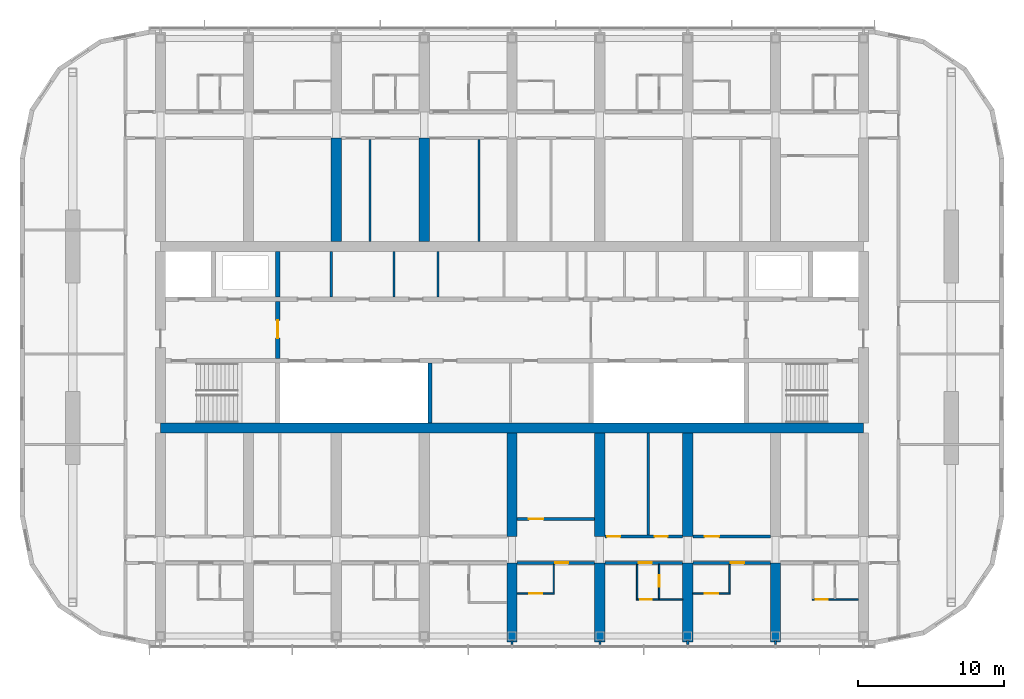
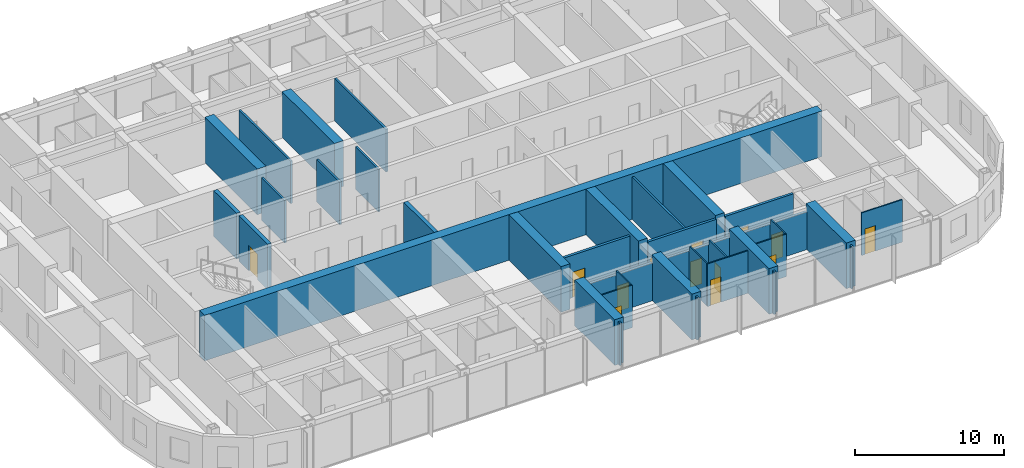
# One storey, part 12 of 23: 37 walls, 13 doors, 13 openings.
"""IFC4 building model written with IfcOpenShell, lengths in metres."""

from ifc_helpers import new_model, si_unit, direction, frame, frame_2d, origin, place, context, subcontext, project, spatial, polyline, rectangle, outline, extrude, material, layer, layer_set, type_object, element, fill, save


model = new_model("IFC4")

# Units and contexts
model_context = context("Model", 3, precision=1e-05, world=origin(), true_north=direction((0.0, 1.0)))
body_context = subcontext(model_context, "Body", "Model", "MODEL_VIEW")
ifc_project = project(units=[si_unit("LENGTHUNIT", "METRE"), si_unit("AREAUNIT", "SQUARE_METRE"), si_unit("VOLUMEUNIT", "CUBIC_METRE"), si_unit("PLANEANGLEUNIT", "RADIAN"), si_unit("MASSUNIT", "GRAM", prefix="KILO")], contexts=[model_context])

# Site, building, storey
site_placement = place(None, origin())
site = spatial("IfcSite", under=ifc_project, at=site_placement, CompositionType="ELEMENT")
building_placement = place(site_placement, origin())
building = spatial("IfcBuilding", under=site, at=building_placement, Name="Orbita Commons", CompositionType="ELEMENT")
storey_placement = place(building_placement, frame((0.0, 0.0, 224.050048828125)))
storey = spatial("IfcBuildingStorey", under=building, at=storey_placement, Name="L55", CompositionType="ELEMENT", Elevation=224.050048828125)

# Wall, opening, door
ifc_material_1 = material(Name="Concrete C50/60", Category="concrete")
ifc_layer_1 = layer(ifc_material_1, 0.300048828125)
ifc_layer_set_1 = layer_set([ifc_layer_1], Name="Concrete C50/60")
wall_type_1 = type_object("IfcWallType", Name="Core inner wall 300 C50/60", PredefinedType="SHEAR", material=ifc_layer_set_1)
wall_1_placement = place(storey_placement, frame((26.0, 30.550048828125, 0.0), z_axis=(0.0, 0.0, 1.0), x_axis=(0.0, 1.0, 0.0)))
wall_1 = element("IfcWall", 1, at=wall_1_placement, inside=storey, type_object=wall_type_1, Name="Firefighting lobby wall west L55", PredefinedType="SHEAR", context=body_context, shape_type="SweptSolid", body=[
    extrude(rectangle(XDim=3.89990234375, YDim=0.300048828125, at=frame_2d((1.949951171875, 0.0))), origin(), (0.0, 0.0, 1.0), 3.75),
])
opening_1_placement = place(wall_1_placement, frame((1.39990234375, 0.0, 0.0)))
opening_1 = element("IfcOpeningElement", 2, at=opening_1_placement, cuts=wall_1, Name="Opening D04", PredefinedType="OPENING", context=body_context, shape_type="SweptSolid", body=[
    extrude(rectangle(XDim=1.199951171875, YDim=2.10009765625, at=frame_2d((0.60009765625, 1.050048828125))), frame((0.0, 0.159912109375, 0.0), z_axis=(0.0, -1.0, 0.0), x_axis=(1.0, 0.0, 0.0)), (0.0, 0.0, 1.0), 0.320068359375),
])
ifc_material_2 = material(Name="Steel-faced fire door leaf", Category="steel")
door_type_1 = type_object("IfcDoorType", Name="Service door 20 min 1200x2100", OperationType="SINGLE_SWING_LEFT", PredefinedType="DOOR", material=ifc_material_2)
door_1_placement = place(opening_1_placement, origin())
door_1 = element("IfcDoor", 3, at=door_1_placement, inside=storey, type_object=door_type_1, Name="Lift lobby door west", OperationType="SINGLE_SWING_LEFT", OverallHeight=2.10009765625, OverallWidth=1.199951171875, PredefinedType="DOOR", context=body_context, shape_type="SweptSolid", body=[
    extrude(rectangle(XDim=1.199951171875, YDim=2.10009765625, at=frame_2d((0.60009765625, 1.050048828125))), frame((0.0, 0.02490234375, 0.0), z_axis=(0.0, -1.0, 0.0), x_axis=(1.0, 0.0, 0.0)), (0.0, 0.0, 1.0), 0.050048828125),
])
fill(opening_1, door_1)

# Walls
wall_2_placement = place(storey_placement, frame((26.0, 34.75, 0.0), z_axis=(0.0, 0.0, 1.0), x_axis=(0.0, 1.0, 0.0)))
element("IfcWall", 4, at=wall_2_placement, inside=storey, type_object=wall_type_1, Name="Riser wall west L55", PredefinedType="SHEAR", context=body_context, shape_type="SweptSolid", body=[
    extrude(rectangle(XDim=3.10009765625, YDim=0.300048828125, at=frame_2d((1.550048828125, 0.0))), origin(), (0.0, 0.0, 1.0), 3.75),
])
wall_3_placement = place(storey_placement, frame((36.39990234375, 26.14990234375, 0.0), z_axis=(0.0, 0.0, 1.0), x_axis=(0.0, 1.0, 0.0)))
element("IfcWall", 5, at=wall_3_placement, inside=storey, type_object=wall_type_1, Name="Hoistway division wall L55", PredefinedType="SHEAR", context=body_context, shape_type="SweptSolid", body=[
    extrude(rectangle(XDim=4.10009765625, YDim=0.300048828125, at=frame_2d((2.050048828125, 0.0))), origin(), (0.0, 0.0, 1.0), 3.75),
])
ifc_material_3 = material(Name="Concrete blockwork", Category="masonry")
ifc_layer_2 = layer(ifc_material_3, 0.14990234375)
ifc_layer_set_2 = layer_set([ifc_layer_2], Name="Concrete blockwork")
wall_type_2 = type_object("IfcWallType", Name="Core partition 150 blockwork", PredefinedType="SOLIDWALL", material=ifc_layer_set_2)
for number, where, z_axis, x_axis, name in (
    (6, (29.65087890625, 34.75, 0.0), (0.0, 0.0, 1.0), (0.0, 1.0, 0.0), "Core partition 150 blockwork L55"),
    (7, (33.9462890625, 34.75, 0.0), (0.0, 0.0, 1.0), (0.0, 1.0, 0.0), "Core partition 150 blockwork L55"),
    (8, (36.9462890625, 34.75, 0.0), (0.0, 0.0, 1.0), (0.0, 1.0, 0.0), "Core partition 150 blockwork L55"),
):
    element("IfcWall", number, at=place(storey_placement, frame(where, z_axis=z_axis, x_axis=x_axis)), inside=storey, type_object=wall_type_2, Name=name, PredefinedType="SOLIDWALL", context=body_context, shape_type="SweptSolid", body=[
        extrude(rectangle(XDim=3.10009765625, YDim=0.14990234375, at=frame_2d((1.550048828125, 0.0))), origin(), (0.0, 0.0, 1.0), 3.5),
    ])
ifc_material_4 = material(Name="Concrete C50/60", Category="concrete")
ifc_layer_3 = layer(ifc_material_4, 0.699951171875)
ifc_layer_set_3 = layer_set([ifc_layer_3], Name="Concrete C50/60")
wall_type_3 = type_object("IfcWallType", Name="Core wall 700 C50/60", PredefinedType="SHEAR", material=ifc_layer_set_3)
wall_4_placement = place(storey_placement, frame((18.0, 25.800048828125, 0.0), z_axis=(0.0, 0.0, 1.0), x_axis=(1.0, 0.0, 0.0)))
element("IfcWall", 9, at=wall_4_placement, inside=storey, type_object=wall_type_3, Name="Core spine wall south L55", PredefinedType="SHEAR", context=body_context, shape_type="SweptSolid", body=[
    extrude(rectangle(XDim=48.0, YDim=0.699951171875, at=frame_2d((24.0, 0.0))), origin(), (0.0, 0.0, 1.0), 3.75),
])

# Wall, opening, door
ifc_material_5 = material(Name="Concrete blockwork", Category="masonry")
ifc_layer_4 = layer(ifc_material_5, 0.199951171875)
ifc_layer_set_4 = layer_set([ifc_layer_4], Name="Concrete blockwork")
wall_type_4 = type_object("IfcWallType", Name="Corridor wall 200 blockwork", PredefinedType="SOLIDWALL", material=ifc_layer_set_4)
wall_5_placement = place(storey_placement, frame((42.35009765625, 16.60009765625, 0.0), z_axis=(0.0, 0.0, 1.0), x_axis=(1.0, 0.0, 0.0)))
wall_5 = element("IfcWall", 10, at=wall_5_placement, inside=storey, type_object=wall_type_4, Name="Corridor wall 200 blockwork L55", PredefinedType="SOLIDWALL", context=body_context, shape_type="SweptSolid", body=[
    extrude(outline(polyline([(0.0, 0.0), (5.2998046875, 0.0), (5.300048828125, 3.099853515625), (0.0, 3.099853515625), (0.0, 0.0)])), frame((0.0, 0.10009765625, 0.0), z_axis=(0.0, -1.0, 0.0), x_axis=(1.0, 0.0, 0.0)), (0.0, 0.0, 1.0), 0.199951171875),
])
opening_2_placement = place(wall_5_placement, frame((2.60009765625, 0.0, 0.0)))
opening_2 = element("IfcOpeningElement", 11, at=opening_2_placement, cuts=wall_5, Name="Opening D11", PredefinedType="OPENING", context=body_context, shape_type="SweptSolid", body=[
    extrude(rectangle(XDim=0.89990234375, YDim=2.10009765625, at=frame_2d((0.449951171875, 1.050048828125))), frame((0.0, 0.10986328125, 0.0), z_axis=(0.0, -1.0, 0.0), x_axis=(1.0, 0.0, 0.0)), (0.0, 0.0, 1.0), 0.219970703125),
])
ifc_material_6 = material(Name="Steel-faced fire door leaf", Category="steel")
door_type_2 = type_object("IfcDoorType", Name="Corridor door 20 min 900x2100", OperationType="SINGLE_SWING_LEFT", PredefinedType="DOOR", material=ifc_material_6)
door_2_placement = place(opening_2_placement, origin())
door_2 = element("IfcDoor", 12, at=door_2_placement, inside=storey, type_object=door_type_2, Name="Studio apartment with kitchenette L55-S08 door", OperationType="SINGLE_SWING_LEFT", OverallHeight=2.10009765625, OverallWidth=0.89990234375, PredefinedType="DOOR", context=body_context, shape_type="SweptSolid", body=[
    extrude(rectangle(XDim=0.89990234375, YDim=2.10009765625, at=frame_2d((0.449951171875, 1.050048828125))), frame((0.0, 0.02490234375, 0.0), z_axis=(0.0, -1.0, 0.0), x_axis=(1.0, 0.0, 0.0)), (0.0, 0.0, 1.0), 0.050048828125),
])
fill(opening_2, door_2)

wall_6_placement = place(storey_placement, frame((48.35009765625, 16.60009765625, 0.0), z_axis=(0.0, 0.0, 1.0), x_axis=(1.0, 0.0, 0.0)))
wall_6 = element("IfcWall", 13, at=wall_6_placement, inside=storey, type_object=wall_type_4, Name="Corridor wall 200 blockwork L55", PredefinedType="SOLIDWALL", context=body_context, shape_type="SweptSolid", body=[
    extrude(outline(polyline([(0.0, 0.0), (5.2998046875, 0.0), (5.300048828125, 3.099853515625), (0.0, 3.099853515625), (0.0, 0.0)])), frame((0.0, 0.10009765625, 0.0), z_axis=(0.0, -1.0, 0.0), x_axis=(1.0, 0.0, 0.0)), (0.0, 0.0, 1.0), 0.199951171875),
])
opening_3_placement = place(wall_6_placement, frame((2.300048828125, 0.0, 0.0)))
opening_3 = element("IfcOpeningElement", 14, at=opening_3_placement, cuts=wall_6, Name="Opening D11", PredefinedType="OPENING", context=body_context, shape_type="SweptSolid", body=[
    extrude(rectangle(XDim=0.89990234375, YDim=2.10009765625, at=frame_2d((0.449951171875, 1.050048828125))), frame((0.0, 0.10986328125, 0.0), z_axis=(0.0, -1.0, 0.0), x_axis=(1.0, 0.0, 0.0)), (0.0, 0.0, 1.0), 0.219970703125),
])
door_3_placement = place(opening_3_placement, origin())
door_3 = element("IfcDoor", 15, at=door_3_placement, inside=storey, type_object=door_type_2, Name="Studio flat L55-S10 entrance door", OperationType="SINGLE_SWING_LEFT", OverallHeight=2.10009765625, OverallWidth=0.89990234375, PredefinedType="DOOR", context=body_context, shape_type="SweptSolid", body=[
    extrude(rectangle(XDim=0.89990234375, YDim=2.10009765625, at=frame_2d((0.449951171875, 1.050048828125))), frame((0.0, 0.02490234375, 0.0), z_axis=(0.0, -1.0, 0.0), x_axis=(1.0, 0.0, 0.0)), (0.0, 0.0, 1.0), 0.050048828125),
])
fill(opening_3, door_3)

wall_7_placement = place(storey_placement, frame((54.35009765625, 16.60009765625, 0.0), z_axis=(0.0, 0.0, 1.0), x_axis=(1.0, 0.0, 0.0)))
wall_7 = element("IfcWall", 16, at=wall_7_placement, inside=storey, type_object=wall_type_4, Name="Corridor wall 200 blockwork L55", PredefinedType="SOLIDWALL", context=body_context, shape_type="SweptSolid", body=[
    extrude(outline(polyline([(0.0, 0.0), (5.2998046875, 0.0), (5.300048828125, 3.099853515625), (0.0, 3.099853515625), (0.0, 0.0)])), frame((0.0, 0.10009765625, 0.0), z_axis=(0.0, -1.0, 0.0), x_axis=(1.0, 0.0, 0.0)), (0.0, 0.0, 1.0), 0.199951171875),
])
opening_4_placement = place(wall_7_placement, frame((2.60009765625, 0.0, 0.0)))
opening_4 = element("IfcOpeningElement", 17, at=opening_4_placement, cuts=wall_7, Name="Opening D11", PredefinedType="OPENING", context=body_context, shape_type="SweptSolid", body=[
    extrude(rectangle(XDim=0.89990234375, YDim=2.10009765625, at=frame_2d((0.449951171875, 1.050048828125))), frame((0.0, 0.10986328125, 0.0), z_axis=(0.0, -1.0, 0.0), x_axis=(1.0, 0.0, 0.0)), (0.0, 0.0, 1.0), 0.219970703125),
])
door_4_placement = place(opening_4_placement, origin())
door_4 = element("IfcDoor", 18, at=door_4_placement, inside=storey, type_object=door_type_2, Name="Studio apartment with kitchenette L55-S12 door", OperationType="SINGLE_SWING_LEFT", OverallHeight=2.10009765625, OverallWidth=0.89990234375, PredefinedType="DOOR", context=body_context, shape_type="SweptSolid", body=[
    extrude(rectangle(XDim=0.89990234375, YDim=2.10009765625, at=frame_2d((0.449951171875, 1.050048828125))), frame((0.0, 0.02490234375, 0.0), z_axis=(0.0, -1.0, 0.0), x_axis=(1.0, 0.0, 0.0)), (0.0, 0.0, 1.0), 0.050048828125),
])
fill(opening_4, door_4)

# Wall, openings, doors
ifc_material_7 = material(Name="Hollow concrete block 200", Category="concrete")
ifc_layer_5 = layer(ifc_material_7, 0.199951171875)
ifc_layer_set_5 = layer_set([ifc_layer_5], Name="Hollow concrete block 200")
wall_type_5 = type_object("IfcWallType", Name="Corridor wall 200 hollow concrete block", PredefinedType="SOLIDWALL", material=ifc_layer_set_5)
wall_8_placement = place(storey_placement, frame((48.35009765625, 18.39990234375, 0.0), z_axis=(0.0, 0.0, 1.0), x_axis=(1.0, 0.0, 0.0)))
wall_8 = element("IfcWall", 19, at=wall_8_placement, inside=storey, type_object=wall_type_5, Name="Corridor wall 200 hollow concrete block L55", PredefinedType="SOLIDWALL", context=body_context, shape_type="SweptSolid", body=[
    extrude(rectangle(XDim=5.2998046875, YDim=0.199951171875, at=frame_2d((2.64990234375, 0.0))), origin(), (0.0, 0.0, 1.0), 3.5),
])
opening_5_placement = place(wall_8_placement, frame((0.14990234375, 0.0, 0.0)))
opening_5 = element("IfcOpeningElement", 20, at=opening_5_placement, cuts=wall_8, Name="Opening D11", PredefinedType="OPENING", context=body_context, shape_type="SweptSolid", body=[
    extrude(rectangle(XDim=0.89990234375, YDim=2.10009765625, at=frame_2d((0.449951171875, 1.050048828125))), frame((0.0, 0.10986328125, 0.0), z_axis=(0.0, -1.0, 0.0), x_axis=(1.0, 0.0, 0.0)), (0.0, 0.0, 1.0), 0.219970703125),
])
opening_6_placement = place(wall_8_placement, frame((3.385009765625, 0.0, 0.0)))
opening_6 = element("IfcOpeningElement", 21, at=opening_6_placement, cuts=wall_8, Name="Opening D11", PredefinedType="OPENING", context=body_context, shape_type="SweptSolid", body=[
    extrude(rectangle(XDim=0.89990234375, YDim=2.10009765625, at=frame_2d((0.449951171875, 1.050048828125))), frame((0.0, 0.10986328125, 0.0), z_axis=(0.0, -1.0, 0.0), x_axis=(1.0, 0.0, 0.0)), (0.0, 0.0, 1.0), 0.219970703125),
])
door_5_placement = place(opening_5_placement, origin())
door_5 = element("IfcDoor", 22, at=door_5_placement, inside=storey, type_object=door_type_2, Name="Cleaners store L55-BDS48 door", OperationType="SINGLE_SWING_LEFT", OverallHeight=2.10009765625, OverallWidth=0.89990234375, PredefinedType="DOOR", context=body_context, shape_type="SweptSolid", body=[
    extrude(rectangle(XDim=0.89990234375, YDim=2.10009765625, at=frame_2d((0.449951171875, 1.050048828125))), frame((0.0, 0.02490234375, 0.0), z_axis=(0.0, -1.0, 0.0), x_axis=(1.0, 0.0, 0.0)), (0.0, 0.0, 1.0), 0.050048828125),
])
fill(opening_5, door_5)
door_6_placement = place(opening_6_placement, origin())
door_6 = element("IfcDoor", 23, at=door_6_placement, inside=storey, type_object=door_type_2, Name="Water heater cupboard L55-BDS48n door", OperationType="SINGLE_SWING_LEFT", OverallHeight=2.10009765625, OverallWidth=0.89990234375, PredefinedType="DOOR", context=body_context, shape_type="SweptSolid", body=[
    extrude(rectangle(XDim=0.89990234375, YDim=2.10009765625, at=frame_2d((0.449951171875, 1.050048828125))), frame((0.0, 0.02490234375, 0.0), z_axis=(0.0, -1.0, 0.0), x_axis=(1.0, 0.0, 0.0)), (0.0, 0.0, 1.0), 0.050048828125),
])
fill(opening_6, door_6)

# Wall, opening, door
wall_9_placement = place(storey_placement, frame((54.35009765625, 18.39990234375, 0.0), z_axis=(0.0, 0.0, 1.0), x_axis=(1.0, 0.0, 0.0)))
wall_9 = element("IfcWall", 24, at=wall_9_placement, inside=storey, type_object=wall_type_5, Name="Corridor wall 200 hollow concrete block L55", PredefinedType="SOLIDWALL", context=body_context, shape_type="SweptSolid", body=[
    extrude(rectangle(XDim=5.2998046875, YDim=0.199951171875, at=frame_2d((2.64990234375, 0.0))), origin(), (0.0, 0.0, 1.0), 3.5),
])
opening_7_placement = place(wall_9_placement, frame((0.800048828125, 0.0, 0.0)))
opening_7 = element("IfcOpeningElement", 25, at=opening_7_placement, cuts=wall_9, Name="Opening D06", PredefinedType="OPENING", context=body_context, shape_type="SweptSolid", body=[
    extrude(rectangle(XDim=1.0, YDim=2.10009765625, at=frame_2d((0.5, 1.050048828125))), frame((0.0, 0.10986328125, 0.0), z_axis=(0.0, -1.0, 0.0), x_axis=(1.0, 0.0, 0.0)), (0.0, 0.0, 1.0), 0.219970703125),
])
ifc_material_8 = material(Name="Steel-faced fire door leaf", Category="steel")
door_type_3 = type_object("IfcDoorType", Name="Corridor door 20 min 1000x2100", OperationType="SINGLE_SWING_LEFT", PredefinedType="DOOR", material=ifc_material_8)
door_7_placement = place(opening_7_placement, origin())
door_7 = element("IfcDoor", 26, at=door_7_placement, inside=storey, type_object=door_type_3, Name="Ventilation plant room south L55-BDS54 door", OperationType="SINGLE_SWING_LEFT", OverallHeight=2.10009765625, OverallWidth=1.0, PredefinedType="DOOR", context=body_context, shape_type="SweptSolid", body=[
    extrude(rectangle(XDim=1.0, YDim=2.10009765625, at=frame_2d((0.5, 1.050048828125))), frame((0.0, 0.02490234375, 0.0), z_axis=(0.0, -1.0, 0.0), x_axis=(1.0, 0.0, 0.0)), (0.0, 0.0, 1.0), 0.050048828125),
])
fill(opening_7, door_7)

wall_10_placement = place(storey_placement, frame((42.35009765625, 19.60009765625, 0.0), z_axis=(0.0, 0.0, 1.0), x_axis=(1.0, 0.0, 0.0)))
wall_10 = element("IfcWall", 27, at=wall_10_placement, inside=storey, type_object=wall_type_5, Name="Corridor wall 200 hollow concrete block L55", PredefinedType="SOLIDWALL", context=body_context, shape_type="SweptSolid", body=[
    extrude(rectangle(XDim=5.2998046875, YDim=0.199951171875, at=frame_2d((2.64990234375, 0.0))), origin(), (0.0, 0.0, 1.0), 3.5),
])
opening_8_placement = place(wall_10_placement, frame((0.800048828125, 0.0, 0.0)))
opening_8 = element("IfcOpeningElement", 28, at=opening_8_placement, cuts=wall_10, Name="Opening D06", PredefinedType="OPENING", context=body_context, shape_type="SweptSolid", body=[
    extrude(rectangle(XDim=1.0, YDim=2.10009765625, at=frame_2d((0.5, 1.050048828125))), frame((0.0, 0.10986328125, 0.0), z_axis=(0.0, -1.0, 0.0), x_axis=(1.0, 0.0, 0.0)), (0.0, 0.0, 1.0), 0.219970703125),
])
door_8_placement = place(opening_8_placement, origin())
door_8 = element("IfcDoor", 29, at=door_8_placement, inside=storey, type_object=door_type_3, Name="Meeting room L55-BDS42 door", OperationType="SINGLE_SWING_LEFT", OverallHeight=2.10009765625, OverallWidth=1.0, PredefinedType="DOOR", context=body_context, shape_type="SweptSolid", body=[
    extrude(rectangle(XDim=1.0, YDim=2.10009765625, at=frame_2d((0.5, 1.050048828125))), frame((0.0, 0.02490234375, 0.0), z_axis=(0.0, -1.0, 0.0), x_axis=(1.0, 0.0, 0.0)), (0.0, 0.0, 1.0), 0.050048828125),
])
fill(opening_8, door_8)

# Walls
ifc_material_9 = material(Name="Concrete C50/60", Category="concrete")
ifc_layer_6 = layer(ifc_material_9, 0.699951171875)
ifc_layer_set_6 = layer_set([ifc_layer_6], Name="Concrete C50/60")
wall_type_6 = type_object("IfcWallType", Name="Cross wall 700 C50/60", PredefinedType="SHEAR", material=ifc_layer_set_6)
for number, where, z_axis, x_axis, name in (
    (30, (30.0, 38.550048828125, 0.0), (0.0, 0.0, 1.0), (0.0, 1.0, 0.0), "Cross wall 6 north inner L55"),
    (31, (36.0, 38.550048828125, 0.0), (0.0, 0.0, 1.0), (0.0, 1.0, 0.0), "Cross wall 7 north inner L55"),
):
    element("IfcWall", number, at=place(storey_placement, frame(where, z_axis=z_axis, x_axis=x_axis)), inside=storey, type_object=wall_type_6, Name=name, PredefinedType="SHEAR", context=body_context, shape_type="SweptSolid", body=[
        extrude(rectangle(XDim=7.050048828125, YDim=0.699951171875, at=frame_2d((3.52490234375, 0.0))), origin(), (0.0, 0.0, 1.0), 3.75),
    ])
wall_11_placement = place(storey_placement, frame((42.0, 11.199951171875, 0.0), z_axis=(0.0, 0.0, 1.0), x_axis=(0.0, 1.0, 0.0)))
element("IfcWall", 32, at=wall_11_placement, inside=storey, type_object=wall_type_6, Name="Cross wall 8 south outer L55", PredefinedType="SHEAR", context=body_context, shape_type="SweptSolid", body=[
    extrude(rectangle(XDim=5.400146484375, YDim=0.699951171875, at=frame_2d((2.7001953125, 0.0))), origin(), (0.0, 0.0, 1.0), 3.75),
])
wall_12_placement = place(storey_placement, frame((42.0, 18.39990234375, 0.0), z_axis=(0.0, 0.0, 1.0), x_axis=(0.0, 1.0, 0.0)))
element("IfcWall", 33, at=wall_12_placement, inside=storey, type_object=wall_type_6, Name="Cross wall 8 south inner L55", PredefinedType="SHEAR", context=body_context, shape_type="SweptSolid", body=[
    extrude(rectangle(XDim=7.050048828125, YDim=0.699951171875, at=frame_2d((3.52490234375, 0.0))), origin(), (0.0, 0.0, 1.0), 3.75),
])
wall_13_placement = place(storey_placement, frame((48.0, 11.199951171875, 0.0), z_axis=(0.0, 0.0, 1.0), x_axis=(0.0, 1.0, 0.0)))
element("IfcWall", 34, at=wall_13_placement, inside=storey, type_object=wall_type_6, Name="Cross wall 9 south outer L55", PredefinedType="SHEAR", context=body_context, shape_type="SweptSolid", body=[
    extrude(rectangle(XDim=5.400146484375, YDim=0.699951171875, at=frame_2d((2.7001953125, 0.0))), origin(), (0.0, 0.0, 1.0), 3.75),
])
wall_14_placement = place(storey_placement, frame((48.0, 18.39990234375, 0.0), z_axis=(0.0, 0.0, 1.0), x_axis=(0.0, 1.0, 0.0)))
element("IfcWall", 35, at=wall_14_placement, inside=storey, type_object=wall_type_6, Name="Cross wall 9 south inner L55", PredefinedType="SHEAR", context=body_context, shape_type="SweptSolid", body=[
    extrude(rectangle(XDim=7.050048828125, YDim=0.699951171875, at=frame_2d((3.52490234375, 0.0))), origin(), (0.0, 0.0, 1.0), 3.75),
])
wall_15_placement = place(storey_placement, frame((54.0, 11.199951171875, 0.0), z_axis=(0.0, 0.0, 1.0), x_axis=(0.0, 1.0, 0.0)))
element("IfcWall", 36, at=wall_15_placement, inside=storey, type_object=wall_type_6, Name="Cross wall 10 south outer L55", PredefinedType="SHEAR", context=body_context, shape_type="SweptSolid", body=[
    extrude(rectangle(XDim=5.400146484375, YDim=0.699951171875, at=frame_2d((2.7001953125, 0.0))), origin(), (0.0, 0.0, 1.0), 3.75),
])
wall_16_placement = place(storey_placement, frame((54.0, 18.39990234375, 0.0), z_axis=(0.0, 0.0, 1.0), x_axis=(0.0, 1.0, 0.0)))
element("IfcWall", 37, at=wall_16_placement, inside=storey, type_object=wall_type_6, Name="Cross wall 10 south inner L55", PredefinedType="SHEAR", context=body_context, shape_type="SweptSolid", body=[
    extrude(rectangle(XDim=7.050048828125, YDim=0.699951171875, at=frame_2d((3.52490234375, 0.0))), origin(), (0.0, 0.0, 1.0), 3.75),
])
wall_17_placement = place(storey_placement, frame((60.0, 11.199951171875, 0.0), z_axis=(0.0, 0.0, 1.0), x_axis=(0.0, 1.0, 0.0)))
element("IfcWall", 38, at=wall_17_placement, inside=storey, type_object=wall_type_6, Name="Cross wall 11 south outer L55", PredefinedType="SHEAR", context=body_context, shape_type="SweptSolid", body=[
    extrude(rectangle(XDim=5.400146484375, YDim=0.699951171875, at=frame_2d((2.7001953125, 0.0))), origin(), (0.0, 0.0, 1.0), 3.75),
])

# Wall, opening, door
ifc_material_10 = material(Name="Moisture-resistant plasterboard on steel studs", Category="steel")
ifc_layer_7 = layer(ifc_material_10, 0.10009765625)
ifc_layer_set_7 = layer_set([ifc_layer_7], Name="Moisture-resistant plasterboard on steel studs")
wall_type_7 = type_object("IfcWallType", Name="En-suite partition 100", PredefinedType="PARTITIONING", material=ifc_layer_set_7)
wall_18_placement = place(storey_placement, frame((44.89990234375, 14.5, 0.0), z_axis=(0.0, 0.0, 1.0), x_axis=(-1.0, 0.0, 0.0)))
wall_18 = element("IfcWall", 39, at=wall_18_placement, inside=storey, type_object=wall_type_7, Name="En-suite partition 100 L55", PredefinedType="PARTITIONING", context=body_context, shape_type="SweptSolid", body=[
    extrude(rectangle(XDim=2.5498046875, YDim=0.10009765625, at=frame_2d((1.27490234375, 0.0))), origin(), (0.0, 0.0, 1.0), 3.5),
])
opening_9_placement = place(wall_18_placement, frame((0.824951171875, 0.0, 0.0)))
opening_9 = element("IfcOpeningElement", 40, at=opening_9_placement, cuts=wall_18, Name="Opening D09", PredefinedType="OPENING", context=body_context, shape_type="SweptSolid", body=[
    extrude(rectangle(XDim=0.89990234375, YDim=2.10009765625, at=frame_2d((0.449951171875, 1.050048828125))), frame((0.0, 0.06005859375, 0.0), z_axis=(0.0, -1.0, 0.0), x_axis=(1.0, 0.0, 0.0)), (0.0, 0.0, 1.0), 0.1201171875),
])
ifc_material_11 = material(Name="Laminated timber door leaf", Category="wood")
door_type_4 = type_object("IfcDoorType", Name="En-suite door 900x2100", OperationType="SINGLE_SWING_RIGHT", PredefinedType="DOOR", material=ifc_material_11)
door_9_placement = place(opening_9_placement, origin())
door_9 = element("IfcDoor", 41, at=door_9_placement, inside=storey, type_object=door_type_4, Name="En-suite L55-S08 door", OperationType="SINGLE_SWING_RIGHT", OverallHeight=2.10009765625, OverallWidth=0.89990234375, PredefinedType="DOOR", context=body_context, shape_type="SweptSolid", body=[
    extrude(rectangle(XDim=0.89990234375, YDim=2.10009765625, at=frame_2d((0.449951171875, 1.050048828125))), frame((0.0, 0.02490234375, 0.0), z_axis=(0.0, -1.0, 0.0), x_axis=(1.0, 0.0, 0.0)), (0.0, 0.0, 1.0), 0.050048828125),
])
fill(opening_9, door_9)

# Wall
wall_19_placement = place(storey_placement, frame((44.85009765625, 14.550048828125, 0.0), z_axis=(0.0, 0.0, 1.0), x_axis=(0.0, 1.0, 0.0)))
element("IfcWall", 42, at=wall_19_placement, inside=storey, type_object=wall_type_7, Name="En-suite partition 100 L55", PredefinedType="PARTITIONING", context=body_context, shape_type="SweptSolid", body=[
    extrude(outline(polyline([(0.0, 0.0), (1.949951171875, 0.0), (1.949951171875, 3.099853515625), (1.902099609375, 3.099853515625), (1.89990234375, 3.5), (0.0, 3.5), (0.0, 0.0)])), frame((0.0, 0.050048828125, 0.0), z_axis=(0.0, -1.0, 0.0), x_axis=(1.0, 0.0, 0.0)), (0.0, 0.0, 1.0), 0.10009765625),
])

# Wall, opening, door
wall_20_placement = place(storey_placement, frame((53.64990234375, 14.10009765625, 0.0), z_axis=(0.0, 0.0, 1.0), x_axis=(-1.0, 0.0, 0.0)))
wall_20 = element("IfcWall", 43, at=wall_20_placement, inside=storey, type_object=wall_type_7, Name="En-suite partition 100 L55", PredefinedType="PARTITIONING", context=body_context, shape_type="SweptSolid", body=[
    extrude(rectangle(XDim=3.14990234375, YDim=0.10009765625, at=frame_2d((1.574951171875, 0.0))), origin(), (0.0, 0.0, 1.0), 3.5),
])
opening_10_placement = place(wall_20_placement, frame((2.10009765625, 0.0, 0.0)))
opening_10 = element("IfcOpeningElement", 44, at=opening_10_placement, cuts=wall_20, Name="Opening D16", PredefinedType="OPENING", context=body_context, shape_type="SweptSolid", body=[
    extrude(rectangle(XDim=0.800048828125, YDim=2.10009765625, at=frame_2d((0.39990234375, 1.050048828125))), frame((0.0, 0.06005859375, 0.0), z_axis=(0.0, -1.0, 0.0), x_axis=(1.0, 0.0, 0.0)), (0.0, 0.0, 1.0), 0.1201171875),
])
ifc_material_12 = material(Name="Laminated timber door leaf", Category="wood")
door_type_5 = type_object("IfcDoorType", Name="En-suite door 800x2100", OperationType="SINGLE_SWING_RIGHT", PredefinedType="DOOR", material=ifc_material_12)
door_10_placement = place(opening_10_placement, origin())
door_10 = element("IfcDoor", 45, at=door_10_placement, inside=storey, type_object=door_type_5, Name="Studio flat L55-S10 door", OperationType="SINGLE_SWING_RIGHT", OverallHeight=2.10009765625, OverallWidth=0.800048828125, PredefinedType="DOOR", context=body_context, shape_type="SweptSolid", body=[
    extrude(rectangle(XDim=0.800048828125, YDim=2.10009765625, at=frame_2d((0.39990234375, 1.050048828125))), frame((0.0, 0.02490234375, 0.0), z_axis=(0.0, -1.0, 0.0), x_axis=(1.0, 0.0, 0.0)), (0.0, 0.0, 1.0), 0.050048828125),
])
fill(opening_10, door_10)

# Wall
wall_21_placement = place(storey_placement, frame((50.550048828125, 14.14990234375, 0.0), z_axis=(0.0, 0.0, 1.0), x_axis=(0.0, 1.0, 0.0)))
element("IfcWall", 46, at=wall_21_placement, inside=storey, type_object=wall_type_7, Name="En-suite partition 100 L55", PredefinedType="PARTITIONING", context=body_context, shape_type="SweptSolid", body=[
    extrude(outline(polyline([(0.0, 0.0), (2.35009765625, 0.0), (2.35009765625, 3.099853515625), (2.302001953125, 3.099853515625), (2.300048828125, 3.5), (0.0, 3.5), (0.0, 0.0)])), frame((0.0, 0.050048828125, 0.0), z_axis=(0.0, -1.0, 0.0), x_axis=(1.0, 0.0, 0.0)), (0.0, 0.0, 1.0), 0.10009765625),
])

# Wall, opening, door
wall_22_placement = place(storey_placement, frame((52.050048828125, 14.14990234375, 0.0), z_axis=(0.0, 0.0, 1.0), x_axis=(0.0, 1.0, 0.0)))
wall_22 = element("IfcWall", 47, at=wall_22_placement, inside=storey, type_object=wall_type_7, Name="En-suite partition 100 L55", PredefinedType="PARTITIONING", context=body_context, shape_type="SweptSolid", body=[
    extrude(outline(polyline([(0.0, 0.0), (2.35009765625, 0.0), (2.35009765625, 3.099853515625), (2.302001953125, 3.099853515625), (2.300048828125, 3.5), (0.0, 3.5), (0.0, 0.0)])), frame((0.0, 0.050048828125, 0.0), z_axis=(0.0, -1.0, 0.0), x_axis=(1.0, 0.0, 0.0)), (0.0, 0.0, 1.0), 0.10009765625),
])
opening_11_placement = place(wall_22_placement, frame((0.800048828125, 0.0, 0.0)))
opening_11 = element("IfcOpeningElement", 48, at=opening_11_placement, cuts=wall_22, Name="Opening D16", PredefinedType="OPENING", context=body_context, shape_type="SweptSolid", body=[
    extrude(rectangle(XDim=0.800048828125, YDim=2.10009765625, at=frame_2d((0.39990234375, 1.050048828125))), frame((0.0, 0.06005859375, 0.0), z_axis=(0.0, -1.0, 0.0), x_axis=(1.0, 0.0, 0.0)), (0.0, 0.0, 1.0), 0.1201171875),
])
door_11_placement = place(opening_11_placement, origin())
door_11 = element("IfcDoor", 49, at=door_11_placement, inside=storey, type_object=door_type_5, Name="Studio flat shower room L55-S10 door", OperationType="SINGLE_SWING_RIGHT", OverallHeight=2.10009765625, OverallWidth=0.800048828125, PredefinedType="DOOR", context=body_context, shape_type="SweptSolid", body=[
    extrude(rectangle(XDim=0.800048828125, YDim=2.10009765625, at=frame_2d((0.39990234375, 1.050048828125))), frame((0.0, 0.02490234375, 0.0), z_axis=(0.0, -1.0, 0.0), x_axis=(1.0, 0.0, 0.0)), (0.0, 0.0, 1.0), 0.050048828125),
])
fill(opening_11, door_11)

wall_23_placement = place(storey_placement, frame((56.89990234375, 14.5, 0.0), z_axis=(0.0, 0.0, 1.0), x_axis=(-1.0, 0.0, 0.0)))
wall_23 = element("IfcWall", 50, at=wall_23_placement, inside=storey, type_object=wall_type_7, Name="En-suite partition 100 L55", PredefinedType="PARTITIONING", context=body_context, shape_type="SweptSolid", body=[
    extrude(rectangle(XDim=2.5498046875, YDim=0.10009765625, at=frame_2d((1.27490234375, 0.0))), origin(), (0.0, 0.0, 1.0), 3.5),
])
opening_12_placement = place(wall_23_placement, frame((0.824951171875, 0.0, 0.0)))
opening_12 = element("IfcOpeningElement", 51, at=opening_12_placement, cuts=wall_23, Name="Opening D09", PredefinedType="OPENING", context=body_context, shape_type="SweptSolid", body=[
    extrude(rectangle(XDim=0.89990234375, YDim=2.10009765625, at=frame_2d((0.449951171875, 1.050048828125))), frame((0.0, 0.06005859375, 0.0), z_axis=(0.0, -1.0, 0.0), x_axis=(1.0, 0.0, 0.0)), (0.0, 0.0, 1.0), 0.1201171875),
])
door_12_placement = place(opening_12_placement, origin())
door_12 = element("IfcDoor", 52, at=door_12_placement, inside=storey, type_object=door_type_4, Name="En-suite L55-S12 door", OperationType="SINGLE_SWING_RIGHT", OverallHeight=2.10009765625, OverallWidth=0.89990234375, PredefinedType="DOOR", context=body_context, shape_type="SweptSolid", body=[
    extrude(rectangle(XDim=0.89990234375, YDim=2.10009765625, at=frame_2d((0.449951171875, 1.050048828125))), frame((0.0, 0.02490234375, 0.0), z_axis=(0.0, -1.0, 0.0), x_axis=(1.0, 0.0, 0.0)), (0.0, 0.0, 1.0), 0.050048828125),
])
fill(opening_12, door_12)

# Wall
wall_24_placement = place(storey_placement, frame((56.85009765625, 14.550048828125, 0.0), z_axis=(0.0, 0.0, 1.0), x_axis=(0.0, 1.0, 0.0)))
element("IfcWall", 53, at=wall_24_placement, inside=storey, type_object=wall_type_7, Name="En-suite partition 100 L55", PredefinedType="PARTITIONING", context=body_context, shape_type="SweptSolid", body=[
    extrude(outline(polyline([(0.0, 0.0), (1.949951171875, 0.0), (1.949951171875, 3.099853515625), (1.902099609375, 3.099853515625), (1.89990234375, 3.5), (0.0, 3.5), (0.0, 0.0)])), frame((0.0, 0.050048828125, 0.0), z_axis=(0.0, -1.0, 0.0), x_axis=(1.0, 0.0, 0.0)), (0.0, 0.0, 1.0), 0.10009765625),
])

# Wall, opening, door
wall_25_placement = place(storey_placement, frame((65.64990234375, 14.10009765625, 0.0), z_axis=(0.0, 0.0, 1.0), x_axis=(-1.0, 0.0, 0.0)))
wall_25 = element("IfcWall", 54, at=wall_25_placement, inside=storey, type_object=wall_type_7, Name="En-suite partition 100 L55", PredefinedType="PARTITIONING", context=body_context, shape_type="SweptSolid", body=[
    extrude(rectangle(XDim=3.14990234375, YDim=0.10009765625, at=frame_2d((1.574951171875, 0.0))), origin(), (0.0, 0.0, 1.0), 3.5),
])
opening_13_placement = place(wall_25_placement, frame((2.10009765625, 0.0, 0.0)))
opening_13 = element("IfcOpeningElement", 55, at=opening_13_placement, cuts=wall_25, Name="Opening D16", PredefinedType="OPENING", context=body_context, shape_type="SweptSolid", body=[
    extrude(rectangle(XDim=0.800048828125, YDim=2.10009765625, at=frame_2d((0.39990234375, 1.050048828125))), frame((0.0, 0.06005859375, 0.0), z_axis=(0.0, -1.0, 0.0), x_axis=(1.0, 0.0, 0.0)), (0.0, 0.0, 1.0), 0.1201171875),
])
door_13_placement = place(opening_13_placement, origin())
door_13 = element("IfcDoor", 56, at=door_13_placement, inside=storey, type_object=door_type_5, Name="Studio flat L55-S14 door", OperationType="SINGLE_SWING_RIGHT", OverallHeight=2.10009765625, OverallWidth=0.800048828125, PredefinedType="DOOR", context=body_context, shape_type="SweptSolid", body=[
    extrude(rectangle(XDim=0.800048828125, YDim=2.10009765625, at=frame_2d((0.39990234375, 1.050048828125))), frame((0.0, 0.02490234375, 0.0), z_axis=(0.0, -1.0, 0.0), x_axis=(1.0, 0.0, 0.0)), (0.0, 0.0, 1.0), 0.050048828125),
])
fill(opening_13, door_13)

# Walls
ifc_material_13 = material(Name="Gypsum plasterboard on steel studs", Category="steel")
ifc_layer_8 = layer(ifc_material_13, 0.14990234375)
ifc_layer_set_8 = layer_set([ifc_layer_8], Name="Gypsum plasterboard on steel studs")
wall_type_8 = type_object("IfcWallType", Name="Partition 150 plasterboard", PredefinedType="PARTITIONING", material=ifc_layer_set_8)
for number, where, z_axis, x_axis, name in (
    (57, (51.31005859375, 18.5, 0.0), (0.0, 0.0, 1.0), (0.0, 1.0, 0.0), "Partition 150 plasterboard L55"),
    (58, (32.31005859375, 38.550048828125, 0.0), (0.0, 0.0, 1.0), (0.0, 1.0, 0.0), "Partition 150 plasterboard L55"),
    (59, (39.739990234375, 38.550048828125, 0.0), (0.0, 0.0, 1.0), (0.0, 1.0, 0.0), "Partition 150 plasterboard L55"),
):
    element("IfcWall", number, at=place(storey_placement, frame(where, z_axis=z_axis, x_axis=x_axis)), inside=storey, type_object=wall_type_8, Name=name, PredefinedType="PARTITIONING", context=body_context, shape_type="SweptSolid", body=[
        extrude(rectangle(XDim=6.949951171875, YDim=0.14990234375, at=frame_2d((3.47509765625, 0.0))), origin(), (0.0, 0.0, 1.0), 3.5),
    ])
for number, where, z_axis, x_axis, name in (
    (60, (42.0, 11.300048828125, 0.0), (0.0, 0.0, 1.0), (0.0, -1.0, 0.0), "Partition 150 plasterboard L55"),
    (61, (48.0, 11.300048828125, 0.0), (0.0, 0.0, 1.0), (0.0, -1.0, 0.0), "Partition 150 plasterboard L55"),
    (62, (54.0, 11.300048828125, 0.0), (0.0, 0.0, 1.0), (0.0, -1.0, 0.0), "Partition 150 plasterboard L55"),
    (63, (60.0, 11.300048828125, 0.0), (0.0, 0.0, 1.0), (0.0, -1.0, 0.0), "Partition 150 plasterboard L55"),
):
    element("IfcWall", number, at=place(storey_placement, frame(where, z_axis=z_axis, x_axis=x_axis)), inside=storey, type_object=wall_type_8, Name=name, PredefinedType="PARTITIONING", context=body_context, shape_type="SweptSolid", body=[
        extrude(rectangle(XDim=0.2900390625, YDim=0.14990234375, at=frame_2d((0.14501953125, 0.0))), origin(), (0.0, 0.0, 1.0), 3.5),
    ])

save(model, "model.ifc")
